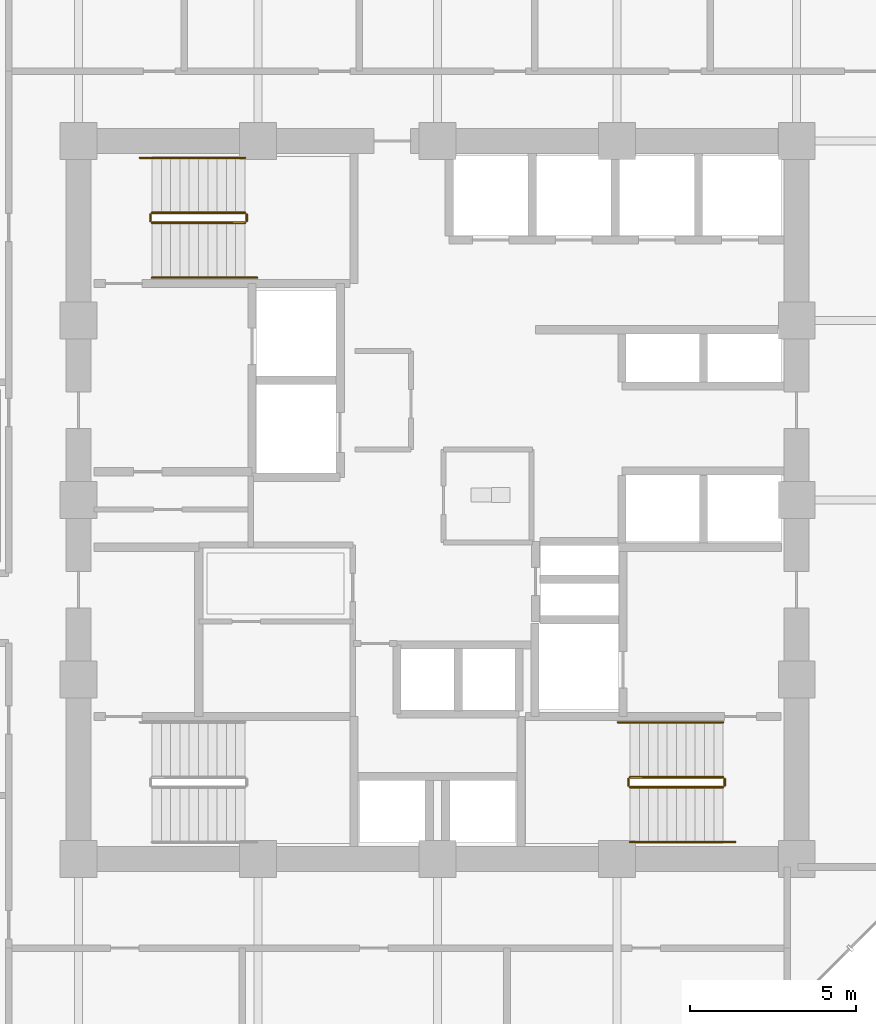
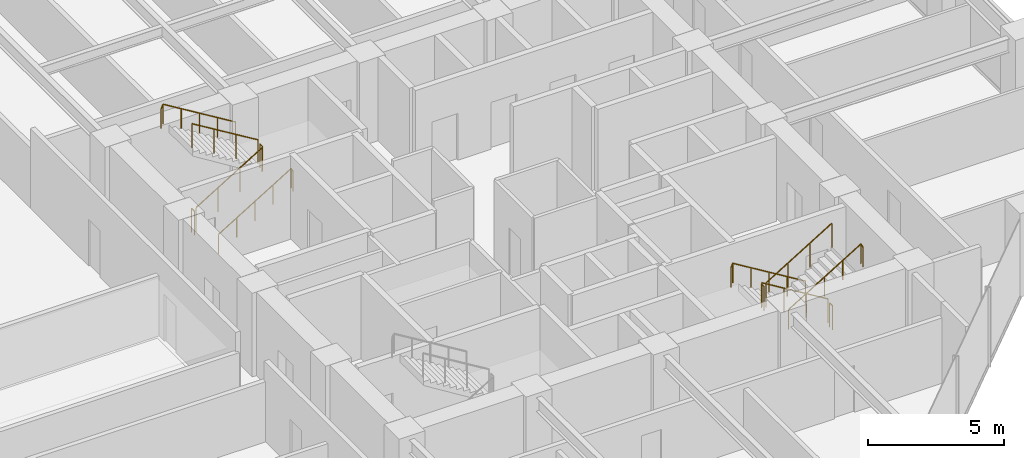
# One storey, part 24 of 25: 12 railings.
"""IFC4 building model written with IfcOpenShell, lengths in metres."""

from ifc_helpers import new_model, si_unit, direction, frame, origin, origin_2d, place, context, subcontext, project, spatial, circle, extrude, material, type_object, element, save


model = new_model("IFC4")

# Units and contexts
model_context = context("Model", 3, precision=1e-05, world=origin(), true_north=direction((0.0, 1.0)))
body_context = subcontext(model_context, "Body", "Model", "MODEL_VIEW")
ifc_project = project(units=[si_unit("LENGTHUNIT", "METRE"), si_unit("AREAUNIT", "SQUARE_METRE"), si_unit("VOLUMEUNIT", "CUBIC_METRE"), si_unit("PLANEANGLEUNIT", "RADIAN"), si_unit("MASSUNIT", "GRAM", prefix="KILO")], contexts=[model_context])

# Site, building, storey
site_placement = place(None, origin())
site = spatial("IfcSite", under=ifc_project, at=site_placement, CompositionType="ELEMENT")
building_placement = place(site_placement, origin())
building = spatial("IfcBuilding", under=site, at=building_placement, Name="Surkhivell Harbour Commons", CompositionType="ELEMENT")
storey_placement = place(building_placement, frame((0.0, 0.0, 120.75)))
storey = spatial("IfcBuildingStorey", under=building, at=storey_placement, Name="L31", CompositionType="ELEMENT", Elevation=120.75)

# Railings
ifc_material_1 = material(Name="Galvanised and painted steel S355 guard rail", Category="steel")
railing_type_1 = type_object("IfcRailingType", Name="RAL-ST-GRD1100", PredefinedType="GUARDRAIL", material=ifc_material_1)
railing_1_placement = place(storey_placement, frame((-8.590087890625, 8.340087890625, 0.17041015625)))
element("IfcRailing", 1, at=railing_1_placement, inside=storey, type_object=railing_type_1, Name="L31 ST1 stair guard 1", PredefinedType="GUARDRAIL", context=body_context, shape_type="SweptSolid", body=[
    extrude(circle(Radius=0.02392578125, at=origin_2d()), frame((0.0, 0.0, 1.076171875), z_axis=(0.854169791009, 0.0, 0.51999420009), x_axis=(0.0, 1.0, 0.0)), (0.0, 0.0, 1.0), 3.278076171875),
    extrude(circle(Radius=0.02099609375, at=origin_2d()), origin(), (0.0, 0.0, 1.0), 1.052001953125),
    extrude(circle(Radius=0.02099609375, at=origin_2d()), frame((0.933349609375, 0.0, 0.568115234375)), (0.0, 0.0, 1.0), 1.052001953125),
    extrude(circle(Radius=0.02099609375, at=origin_2d()), frame((1.86669921875, 0.0, 1.136474609375)), (0.0, 0.0, 1.0), 1.052001953125),
    extrude(circle(Radius=0.02099609375, at=origin_2d()), frame((2.800048828125, 0.0, 1.70458984375)), (0.0, 0.0, 1.0), 1.052001953125),
])
railing_2_placement = place(storey_placement, frame((-5.739990234375, 8.389892578125, 1.875)))
element("IfcRailing", 2, at=railing_2_placement, inside=storey, type_object=railing_type_1, Name="L31 ST1 stair guard 2", PredefinedType="GUARDRAIL", context=body_context, shape_type="SweptSolid", body=[
    extrude(circle(Radius=0.02392578125, at=origin_2d()), frame((0.0, 0.0, 1.076171875), z_axis=(0.0, 1.0, 0.0), x_axis=(-1.0, 0.0, 0.0)), (0.0, 0.0, 1.0), 0.2001953125),
    extrude(circle(Radius=0.02099609375, at=origin_2d()), origin(), (0.0, 0.0, 1.0), 1.052001953125),
    extrude(circle(Radius=0.02099609375, at=origin_2d()), frame((0.0, 0.2001953125, 0.0)), (0.0, 0.0, 1.0), 1.052001953125),
])
railing_3_placement = place(storey_placement, frame((-5.7900390625, 8.639892578125, 2.04541015625)))
element("IfcRailing", 3, at=railing_3_placement, inside=storey, type_object=railing_type_1, Name="L31 ST1 stair guard 3", PredefinedType="GUARDRAIL", context=body_context, shape_type="SweptSolid", body=[
    extrude(circle(Radius=0.02392578125, at=origin_2d()), frame((0.0, 0.0, 1.076171875), z_axis=(-0.854169791009, 0.0, 0.51999420009), x_axis=(0.0, -1.0, 0.0)), (0.0, 0.0, 1.0), 3.278076171875),
    extrude(circle(Radius=0.02099609375, at=origin_2d()), origin(), (0.0, 0.0, 1.0), 1.052001953125),
    extrude(circle(Radius=0.02099609375, at=origin_2d()), frame((-0.933349609375, 0.0, 0.568115234375)), (0.0, 0.0, 1.0), 1.052001953125),
    extrude(circle(Radius=0.02099609375, at=origin_2d()), frame((-1.86669921875, 0.0, 1.136474609375)), (0.0, 0.0, 1.0), 1.052001953125),
    extrude(circle(Radius=0.02099609375, at=origin_2d()), frame((-2.800048828125, 0.0, 1.70458984375)), (0.0, 0.0, 1.0), 1.052001953125),
])
railing_4_placement = place(storey_placement, frame((-8.639892578125, 8.389892578125, 0.0)))
element("IfcRailing", 4, at=railing_4_placement, inside=storey, type_object=railing_type_1, Name="L31 ST1 stair guard 4", PredefinedType="GUARDRAIL", context=body_context, shape_type="SweptSolid", body=[
    extrude(circle(Radius=0.02392578125, at=origin_2d()), frame((0.0, 0.0, 1.076171875), z_axis=(0.0, 1.0, 0.0), x_axis=(-1.0, 0.0, 0.0)), (0.0, 0.0, 1.0), 0.2001953125),
    extrude(circle(Radius=0.02099609375, at=origin_2d()), origin(), (0.0, 0.0, 1.0), 1.052001953125),
    extrude(circle(Radius=0.02099609375, at=origin_2d()), frame((0.0, 0.2001953125, 0.0)), (0.0, 0.0, 1.0), 1.052001953125),
])
railing_5_placement = place(storey_placement, frame((8.590087890625, -8.340087890625, 0.17041015625)))
element("IfcRailing", 5, at=railing_5_placement, inside=storey, type_object=railing_type_1, Name="L31 ST2 stair guard 1", PredefinedType="GUARDRAIL", context=body_context, shape_type="SweptSolid", body=[
    extrude(circle(Radius=0.02392578125, at=origin_2d()), frame((0.0, 0.0, 1.076171875), z_axis=(-0.854169791009, 0.0, 0.51999420009), x_axis=(0.0, -1.0, 0.0)), (0.0, 0.0, 1.0), 3.278076171875),
    extrude(circle(Radius=0.02099609375, at=origin_2d()), origin(), (0.0, 0.0, 1.0), 1.052001953125),
    extrude(circle(Radius=0.02099609375, at=origin_2d()), frame((-0.933349609375, 0.0, 0.568115234375)), (0.0, 0.0, 1.0), 1.052001953125),
    extrude(circle(Radius=0.02099609375, at=origin_2d()), frame((-1.86669921875, 0.0, 1.136474609375)), (0.0, 0.0, 1.0), 1.052001953125),
    extrude(circle(Radius=0.02099609375, at=origin_2d()), frame((-2.800048828125, 0.0, 1.70458984375)), (0.0, 0.0, 1.0), 1.052001953125),
])
railing_6_placement = place(storey_placement, frame((5.739990234375, -8.389892578125, 1.875)))
element("IfcRailing", 6, at=railing_6_placement, inside=storey, type_object=railing_type_1, Name="L31 ST2 stair guard 2", PredefinedType="GUARDRAIL", context=body_context, shape_type="SweptSolid", body=[
    extrude(circle(Radius=0.02392578125, at=origin_2d()), frame((0.0, 0.0, 1.076171875), z_axis=(0.0, -1.0, 0.0), x_axis=(1.0, 0.0, 0.0)), (0.0, 0.0, 1.0), 0.2001953125),
    extrude(circle(Radius=0.02099609375, at=origin_2d()), origin(), (0.0, 0.0, 1.0), 1.052001953125),
    extrude(circle(Radius=0.02099609375, at=origin_2d()), frame((0.0, -0.2001953125, 0.0)), (0.0, 0.0, 1.0), 1.052001953125),
])
railing_7_placement = place(storey_placement, frame((5.7900390625, -8.639892578125, 2.04541015625)))
element("IfcRailing", 7, at=railing_7_placement, inside=storey, type_object=railing_type_1, Name="L31 ST2 stair guard 3", PredefinedType="GUARDRAIL", context=body_context, shape_type="SweptSolid", body=[
    extrude(circle(Radius=0.02392578125, at=origin_2d()), frame((0.0, 0.0, 1.076171875), z_axis=(0.854169791009, 0.0, 0.51999420009), x_axis=(0.0, 1.0, 0.0)), (0.0, 0.0, 1.0), 3.278076171875),
    extrude(circle(Radius=0.02099609375, at=origin_2d()), origin(), (0.0, 0.0, 1.0), 1.052001953125),
    extrude(circle(Radius=0.02099609375, at=origin_2d()), frame((0.933349609375, 0.0, 0.568115234375)), (0.0, 0.0, 1.0), 1.052001953125),
    extrude(circle(Radius=0.02099609375, at=origin_2d()), frame((1.86669921875, 0.0, 1.136474609375)), (0.0, 0.0, 1.0), 1.052001953125),
    extrude(circle(Radius=0.02099609375, at=origin_2d()), frame((2.800048828125, 0.0, 1.70458984375)), (0.0, 0.0, 1.0), 1.052001953125),
])
railing_8_placement = place(storey_placement, frame((8.639892578125, -8.389892578125, 0.0)))
element("IfcRailing", 8, at=railing_8_placement, inside=storey, type_object=railing_type_1, Name="L31 ST2 stair guard 4", PredefinedType="GUARDRAIL", context=body_context, shape_type="SweptSolid", body=[
    extrude(circle(Radius=0.02392578125, at=origin_2d()), frame((0.0, 0.0, 1.076171875), z_axis=(0.0, -1.0, 0.0), x_axis=(1.0, 0.0, 0.0)), (0.0, 0.0, 1.0), 0.2001953125),
    extrude(circle(Radius=0.02099609375, at=origin_2d()), origin(), (0.0, 0.0, 1.0), 1.052001953125),
    extrude(circle(Radius=0.02099609375, at=origin_2d()), frame((0.0, -0.2001953125, 0.0)), (0.0, 0.0, 1.0), 1.052001953125),
])
ifc_material_2 = material(Name="Brushed stainless steel S355 handrail", Category="steel")
railing_type_2 = type_object("IfcRailingType", Name="RAL-ST-HND900", PredefinedType="HANDRAIL", material=ifc_material_2)
railing_9_placement = place(storey_placement, frame((-8.590087890625, 6.68994140625, 0.17041015625)))
element("IfcRailing", 9, at=railing_9_placement, inside=storey, type_object=railing_type_2, Name="L31 ST1 stair handrail 1", PredefinedType="HANDRAIL", context=body_context, shape_type="SweptSolid", body=[
    extrude(circle(Radius=0.02392578125, at=origin_2d()), frame((0.0, 0.0, 0.8759765625), z_axis=(0.854177636135, 0.0, 0.519981313056), x_axis=(0.0, 1.0, 0.0)), (0.0, 0.0, 1.0), 3.60595703125),
    extrude(circle(Radius=0.02392578125, at=origin_2d()), frame((3.080078125, 0.0, 2.7509765625), z_axis=(0.425297416671, 0.0, -0.905053648892), x_axis=(0.0, 1.0, 0.0)), (0.0, 0.0, 1.0), 0.188232421875),
    extrude(circle(Radius=0.02099609375, at=origin_2d()), origin(), (0.0, 0.0, 1.0), 0.851806640625),
    extrude(circle(Radius=0.02099609375, at=origin_2d()), frame((0.77001953125, 0.0, 0.46875)), (0.0, 0.0, 1.0), 0.851806640625),
    extrude(circle(Radius=0.02099609375, at=origin_2d()), frame((1.5400390625, 0.0, 0.9375)), (0.0, 0.0, 1.0), 0.851806640625),
    extrude(circle(Radius=0.02099609375, at=origin_2d()), frame((2.31005859375, 0.0, 1.40625)), (0.0, 0.0, 1.0), 0.851806640625),
    extrude(circle(Radius=0.02099609375, at=origin_2d()), frame((3.080078125, 0.0, 1.875)), (0.0, 0.0, 1.0), 0.851806640625),
    extrude(circle(Radius=0.02099609375, at=origin_2d()), frame((3.16015625, 0.0, 1.70458984375)), (0.0, 0.0, 1.0), 0.851806640625),
])
railing_10_placement = place(storey_placement, frame((-5.7900390625, 10.2900390625, 2.04541015625)))
element("IfcRailing", 10, at=railing_10_placement, inside=storey, type_object=railing_type_2, Name="L31 ST1 stair handrail 2", PredefinedType="HANDRAIL", context=body_context, shape_type="SweptSolid", body=[
    extrude(circle(Radius=0.02392578125, at=origin_2d()), frame((0.0, 0.0, 0.8759765625), z_axis=(-0.854177636135, 0.0, 0.519981313056), x_axis=(0.0, -1.0, 0.0)), (0.0, 0.0, 1.0), 3.60595703125),
    extrude(circle(Radius=0.02392578125, at=origin_2d()), frame((-3.080078125, 0.0, 2.7509765625), z_axis=(-0.424234432967, 0.0, -0.905552398199), x_axis=(0.0, -1.0, 0.0)), (0.0, 0.0, 1.0), 0.188232421875),
    extrude(circle(Radius=0.02099609375, at=origin_2d()), origin(), (0.0, 0.0, 1.0), 0.851806640625),
    extrude(circle(Radius=0.02099609375, at=origin_2d()), frame((-0.77001953125, 0.0, 0.46875)), (0.0, 0.0, 1.0), 0.851806640625),
    extrude(circle(Radius=0.02099609375, at=origin_2d()), frame((-1.5400390625, 0.0, 0.9375)), (0.0, 0.0, 1.0), 0.851806640625),
    extrude(circle(Radius=0.02099609375, at=origin_2d()), frame((-2.31005859375, 0.0, 1.40625)), (0.0, 0.0, 1.0), 0.851806640625),
    extrude(circle(Radius=0.02099609375, at=origin_2d()), frame((-3.080078125, 0.0, 1.875)), (0.0, 0.0, 1.0), 0.851806640625),
    extrude(circle(Radius=0.02099609375, at=origin_2d()), frame((-3.159912109375, 0.0, 1.70458984375)), (0.0, 0.0, 1.0), 0.851806640625),
])
railing_11_placement = place(storey_placement, frame((8.590087890625, -6.68994140625, 0.17041015625)))
element("IfcRailing", 11, at=railing_11_placement, inside=storey, type_object=railing_type_2, Name="L31 ST2 stair handrail 1", PredefinedType="HANDRAIL", context=body_context, shape_type="SweptSolid", body=[
    extrude(circle(Radius=0.02392578125, at=origin_2d()), frame((0.0, 0.0, 0.8759765625), z_axis=(-0.854177636135, 0.0, 0.519981313056), x_axis=(0.0, -1.0, 0.0)), (0.0, 0.0, 1.0), 3.60595703125),
    extrude(circle(Radius=0.02392578125, at=origin_2d()), frame((-3.080078125, 0.0, 2.7509765625), z_axis=(-0.425297416671, 0.0, -0.905053648892), x_axis=(0.0, -1.0, 0.0)), (0.0, 0.0, 1.0), 0.188232421875),
    extrude(circle(Radius=0.02099609375, at=origin_2d()), origin(), (0.0, 0.0, 1.0), 0.851806640625),
    extrude(circle(Radius=0.02099609375, at=origin_2d()), frame((-0.77001953125, 0.0, 0.46875)), (0.0, 0.0, 1.0), 0.851806640625),
    extrude(circle(Radius=0.02099609375, at=origin_2d()), frame((-1.5400390625, 0.0, 0.9375)), (0.0, 0.0, 1.0), 0.851806640625),
    extrude(circle(Radius=0.02099609375, at=origin_2d()), frame((-2.31005859375, 0.0, 1.40625)), (0.0, 0.0, 1.0), 0.851806640625),
    extrude(circle(Radius=0.02099609375, at=origin_2d()), frame((-3.080078125, 0.0, 1.875)), (0.0, 0.0, 1.0), 0.851806640625),
    extrude(circle(Radius=0.02099609375, at=origin_2d()), frame((-3.16015625, 0.0, 1.70458984375)), (0.0, 0.0, 1.0), 0.851806640625),
])
railing_12_placement = place(storey_placement, frame((5.7900390625, -10.2900390625, 2.04541015625)))
element("IfcRailing", 12, at=railing_12_placement, inside=storey, type_object=railing_type_2, Name="L31 ST2 stair handrail 2", PredefinedType="HANDRAIL", context=body_context, shape_type="SweptSolid", body=[
    extrude(circle(Radius=0.02392578125, at=origin_2d()), frame((0.0, 0.0, 0.8759765625), z_axis=(0.854177636135, 0.0, 0.519981313056), x_axis=(0.0, 1.0, 0.0)), (0.0, 0.0, 1.0), 3.60595703125),
    extrude(circle(Radius=0.02392578125, at=origin_2d()), frame((3.080078125, 0.0, 2.7509765625), z_axis=(0.424234432967, 0.0, -0.905552398199), x_axis=(0.0, 1.0, 0.0)), (0.0, 0.0, 1.0), 0.188232421875),
    extrude(circle(Radius=0.02099609375, at=origin_2d()), origin(), (0.0, 0.0, 1.0), 0.851806640625),
    extrude(circle(Radius=0.02099609375, at=origin_2d()), frame((0.77001953125, 0.0, 0.46875)), (0.0, 0.0, 1.0), 0.851806640625),
    extrude(circle(Radius=0.02099609375, at=origin_2d()), frame((1.5400390625, 0.0, 0.9375)), (0.0, 0.0, 1.0), 0.851806640625),
    extrude(circle(Radius=0.02099609375, at=origin_2d()), frame((2.31005859375, 0.0, 1.40625)), (0.0, 0.0, 1.0), 0.851806640625),
    extrude(circle(Radius=0.02099609375, at=origin_2d()), frame((3.080078125, 0.0, 1.875)), (0.0, 0.0, 1.0), 0.851806640625),
    extrude(circle(Radius=0.02099609375, at=origin_2d()), frame((3.159912109375, 0.0, 1.70458984375)), (0.0, 0.0, 1.0), 0.851806640625),
])

save(model, "model.ifc")
